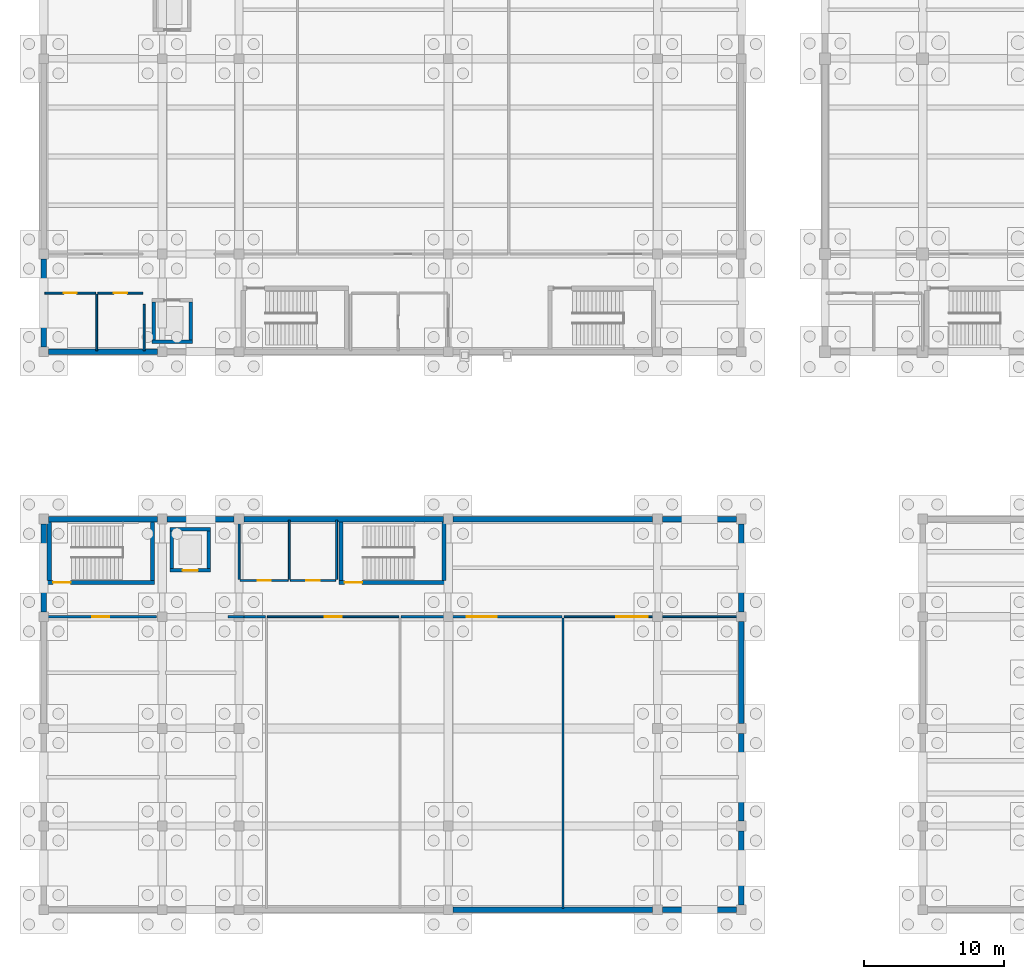
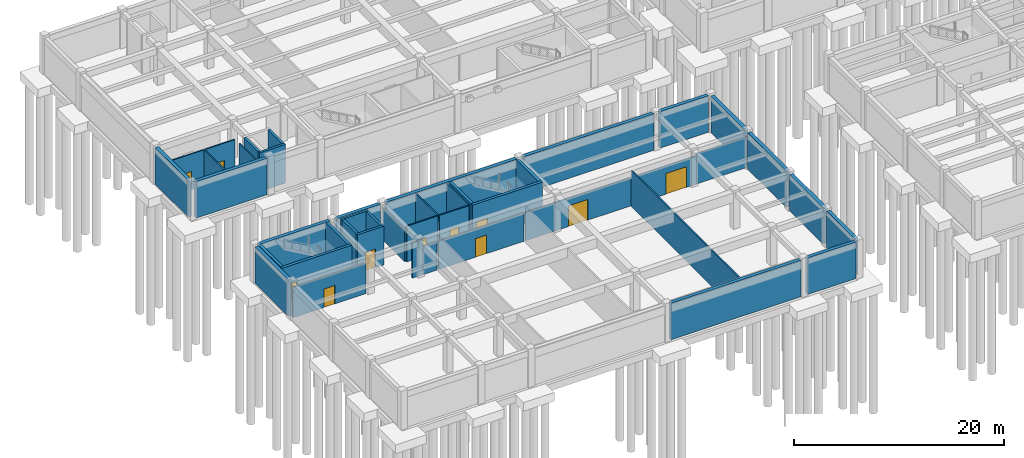
# One storey, part 15 of 28: 44 walls, 11 doors, 11 openings.
"""IFC4 building model written with IfcOpenShell, lengths in metres."""

from ifc_helpers import new_model, si_unit, direction, frame, frame_2d, origin, place, context, subcontext, project, spatial, rectangle, extrude, material, layer, layer_set, type_object, element, fill, save


model = new_model("IFC4")

# Units and contexts
model_context = context("Model", 3, precision=1e-05, world=origin(), true_north=direction((0.0, 1.0)))
body_context = subcontext(model_context, "Body", "Model", "MODEL_VIEW")
ifc_project = project(units=[si_unit("LENGTHUNIT", "METRE"), si_unit("AREAUNIT", "SQUARE_METRE"), si_unit("VOLUMEUNIT", "CUBIC_METRE"), si_unit("PLANEANGLEUNIT", "RADIAN"), si_unit("MASSUNIT", "GRAM", prefix="KILO")], contexts=[model_context])

# Site, building, storey
site_placement = place(None, origin())
site = spatial("IfcSite", under=ifc_project, at=site_placement, CompositionType="ELEMENT")
building_placement = place(site_placement, origin())
building = spatial("IfcBuilding", under=site, at=building_placement, Name="Naurynzar Civic Courthouse", CompositionType="ELEMENT")
storey_placement = place(building_placement, frame((0.0, 0.0, -4.5)))
storey = spatial("IfcBuildingStorey", under=building, at=storey_placement, Name="B01", CompositionType="ELEMENT", Elevation=-4.5)

# Wall, opening, door
ifc_material_1 = material(Name="Concrete C40/50", Category="concrete")
ifc_layer_1 = layer(ifc_material_1, 0.300048828125)
ifc_layer_set_1 = layer_set([ifc_layer_1], Name="WL-CORE-300")
wall_type_1 = type_object("IfcWallType", Name="WL-CORE-300", PredefinedType="SHEAR", material=ifc_layer_set_1)
wall_1_placement = place(storey_placement, frame((6.25, 27.449951171875, 0.0), z_axis=(0.0, 0.0, 1.0), x_axis=(1.0, 0.0, 0.0)))
wall_1 = element("IfcWall", 1, at=wall_1_placement, inside=storey, type_object=wall_type_1, Name="Stair ST-V4A enclosure wall south B01", PredefinedType="SHEAR", context=body_context, shape_type="SweptSolid", body=[
    extrude(rectangle(XDim=7.699951171875, YDim=0.300048828125, at=frame_2d((3.85009765625, 0.0))), origin(), (0.0, 0.0, 1.0), 4.239990234375),
])
opening_1_placement = place(wall_1_placement, frame((0.425048828125, 0.0, 0.0)))
opening_1 = element("IfcOpeningElement", 2, at=opening_1_placement, cuts=wall_1, Name="Opening SD-011", PredefinedType="OPENING", context=body_context, shape_type="SweptSolid", body=[
    extrude(rectangle(XDim=1.25, YDim=2.14990234375, at=frame_2d((0.625, 1.074951171875))), frame((0.0, 0.159912109375, 0.0), z_axis=(0.0, -1.0, 0.0), x_axis=(1.0, 0.0, 0.0)), (0.0, 0.0, 1.0), 0.320068359375),
])
ifc_material_2 = material(Name="Powder-Coated Galvanised Steel", Category="steel")
door_type_1 = type_object("IfcDoorType", Name="DR-STAIR-1250x2150", OperationType="NOTDEFINED", PredefinedType="DOOR", material=ifc_material_2)
door_1_placement = place(opening_1_placement, origin())
door_1 = element("IfcDoor", 3, at=door_1_placement, inside=storey, type_object=door_type_1, Name="Stair ST-V4A fire door B01", OperationType="SINGLE_SWING_LEFT", OverallHeight=2.14990234375, OverallWidth=1.25, PredefinedType="DOOR", context=body_context, shape_type="SweptSolid", body=[
    extrude(rectangle(XDim=1.25, YDim=2.14990234375, at=frame_2d((0.625, 1.074951171875))), frame((0.0, 0.02490234375, 0.0), z_axis=(0.0, -1.0, 0.0), x_axis=(1.0, 0.0, 0.0)), (0.0, 0.0, 1.0), 0.050048828125),
])
fill(opening_1, door_1)

# Walls
for number, where, z_axis, x_axis, name in (
    (4, (6.39990234375, 31.794921875, 0.0), (0.0, 0.0, 1.0), (0.0, -1.0, 0.0), "Stair ST-V4A enclosure wall west B01"),
    (5, (13.800048828125, 27.60498046875, 0.0), (0.0, 0.0, 1.0), (0.0, 1.0, 0.0), "Stair ST-V4A enclosure wall east B01"),
):
    element("IfcWall", number, at=place(storey_placement, frame(where, z_axis=z_axis, x_axis=x_axis)), inside=storey, type_object=wall_type_1, Name=name, PredefinedType="SHEAR", context=body_context, shape_type="SweptSolid", body=[
        extrude(rectangle(XDim=4.18994140625, YDim=0.300048828125, at=frame_2d((2.094970703125, 0.0))), origin(), (0.0, 0.0, 1.0), 4.239990234375),
    ])

# Wall, opening, door
wall_2_placement = place(storey_placement, frame((27.14990234375, 27.449951171875, 0.0), z_axis=(0.0, 0.0, 1.0), x_axis=(1.0, 0.0, 0.0)))
wall_2 = element("IfcWall", 6, at=wall_2_placement, inside=storey, type_object=wall_type_1, Name="Stair ST-V4B enclosure wall south B01", PredefinedType="SHEAR", context=body_context, shape_type="SweptSolid", body=[
    extrude(rectangle(XDim=7.7001953125, YDim=0.300048828125, at=frame_2d((3.85009765625, 0.0))), origin(), (0.0, 0.0, 1.0), 4.239990234375),
])
opening_2_placement = place(wall_2_placement, frame((0.425048828125, 0.0, 0.0)))
opening_2 = element("IfcOpeningElement", 7, at=opening_2_placement, cuts=wall_2, Name="Opening SD-017", PredefinedType="OPENING", context=body_context, shape_type="SweptSolid", body=[
    extrude(rectangle(XDim=1.25, YDim=2.14990234375, at=frame_2d((0.625, 1.074951171875))), frame((0.0, 0.159912109375, 0.0), z_axis=(0.0, -1.0, 0.0), x_axis=(1.0, 0.0, 0.0)), (0.0, 0.0, 1.0), 0.320068359375),
])
door_2_placement = place(opening_2_placement, origin())
door_2 = element("IfcDoor", 8, at=door_2_placement, inside=storey, type_object=door_type_1, Name="Stair ST-V4B fire door B01", OperationType="SINGLE_SWING_LEFT", OverallHeight=2.14990234375, OverallWidth=1.25, PredefinedType="DOOR", context=body_context, shape_type="SweptSolid", body=[
    extrude(rectangle(XDim=1.25, YDim=2.14990234375, at=frame_2d((0.625, 1.074951171875))), frame((0.0, 0.02490234375, 0.0), z_axis=(0.0, -1.0, 0.0), x_axis=(1.0, 0.0, 0.0)), (0.0, 0.0, 1.0), 0.050048828125),
])
fill(opening_2, door_2)

# Walls
for number, where, z_axis, x_axis, name in (
    (9, (27.300048828125, 31.794921875, 0.0), (0.0, 0.0, 1.0), (0.0, -1.0, 0.0), "Stair ST-V4B enclosure wall west B01"),
    (10, (34.699951171875, 27.60498046875, 0.0), (0.0, 0.0, 1.0), (0.0, 1.0, 0.0), "Stair ST-V4B enclosure wall east B01"),
):
    element("IfcWall", number, at=place(storey_placement, frame(where, z_axis=z_axis, x_axis=x_axis)), inside=storey, type_object=wall_type_1, Name=name, PredefinedType="SHEAR", context=body_context, shape_type="SweptSolid", body=[
        extrude(rectangle(XDim=4.18994140625, YDim=0.300048828125, at=frame_2d((2.094970703125, 0.0))), origin(), (0.0, 0.0, 1.0), 4.239990234375),
    ])

# Wall, opening, door
ifc_material_3 = material(Name="Fire-Rated Corridor Gypsum Partition")
ifc_layer_2 = layer(ifc_material_3, 0.14990234375)
ifc_layer_set_2 = layer_set([ifc_layer_2], Name="WL-PART-CORR-150")
wall_type_2 = type_object("IfcWallType", Name="WL-PART-CORR-150", PredefinedType="PARTITIONING", material=ifc_layer_set_2)
wall_3_placement = place(storey_placement, frame((6.080078125, 25.0, 0.0), z_axis=(0.0, 0.0, 1.0), x_axis=(1.0, 0.0, 0.0)))
wall_3 = element("IfcWall", 11, at=wall_3_placement, inside=storey, type_object=wall_type_2, Name="V4 interior partition B01.4", PredefinedType="PARTITIONING", context=body_context, shape_type="SweptSolid", body=[
    extrude(rectangle(XDim=8.02001953125, YDim=0.14990234375, at=frame_2d((4.010009765625, 0.0))), origin(), (0.0, 0.0, 1.0), 3.530029296875),
])
opening_3_placement = place(wall_3_placement, frame((3.409912109375, 0.0, 0.0)))
opening_3 = element("IfcOpeningElement", 12, at=opening_3_placement, cuts=wall_3, Name="Opening D-051", PredefinedType="OPENING", context=body_context, shape_type="SweptSolid", body=[
    extrude(rectangle(XDim=1.199951171875, YDim=2.14990234375, at=frame_2d((0.60009765625, 1.074951171875))), frame((0.0, 0.0849609375, 0.0), z_axis=(0.0, -1.0, 0.0), x_axis=(1.0, 0.0, 0.0)), (0.0, 0.0, 1.0), 0.169921875),
])
ifc_material_4 = material(Name="Powder-Coated Galvanised Steel", Category="steel")
door_type_2 = type_object("IfcDoorType", Name="DR-ARCH-1200x2150", OperationType="NOTDEFINED", PredefinedType="DOOR", material=ifc_material_4)
door_3_placement = place(opening_3_placement, origin())
door_3 = element("IfcDoor", 13, at=door_3_placement, inside=storey, type_object=door_type_2, Name="Interior door D-051 (Central Judicial Archive Compact Shelving)", OperationType="SINGLE_SWING_LEFT", OverallHeight=2.14990234375, OverallWidth=1.199951171875, PredefinedType="DOOR", context=body_context, shape_type="SweptSolid", body=[
    extrude(rectangle(XDim=1.199951171875, YDim=2.14990234375, at=frame_2d((0.60009765625, 1.074951171875))), frame((0.0, 0.02490234375, 0.0), z_axis=(0.0, -1.0, 0.0), x_axis=(1.0, 0.0, 0.0)), (0.0, 0.0, 1.0), 0.050048828125),
])
fill(opening_3, door_3)

# Walls
wall_4_placement = place(storey_placement, frame((19.199951171875, 25.0, 0.0), z_axis=(0.0, 0.0, 1.0), x_axis=(1.0, 0.0, 0.0)))
element("IfcWall", 14, at=wall_4_placement, inside=storey, type_object=wall_type_2, Name="V4 interior partition B01.5a", PredefinedType="PARTITIONING", context=body_context, shape_type="SweptSolid", body=[
    extrude(rectangle(XDim=1.150146484375, YDim=0.14990234375, at=frame_2d((0.5751953125, 0.0))), origin(), (0.0, 0.0, 1.0), 4.139892578125),
])
wall_5_placement = place(storey_placement, frame((20.35009765625, 25.0, 0.0), z_axis=(0.0, 0.0, 1.0), x_axis=(1.0, 0.0, 0.0)))
element("IfcWall", 15, at=wall_5_placement, inside=storey, type_object=wall_type_2, Name="V4 interior partition B01.5ab", PredefinedType="PARTITIONING", context=body_context, shape_type="SweptSolid", body=[
    extrude(rectangle(XDim=1.52978515625, YDim=0.14990234375, at=frame_2d((0.764892578125, 0.0))), origin(), (0.0, 0.0, 1.0), 3.280029296875),
])

# Wall, opening, door
wall_6_placement = place(storey_placement, frame((31.610107421875, 25.0, 0.0), z_axis=(0.0, 0.0, 1.0), x_axis=(1.0, 0.0, 0.0)))
wall_6 = element("IfcWall", 16, at=wall_6_placement, inside=storey, type_object=wall_type_2, Name="V4 interior partition B01.7", PredefinedType="PARTITIONING", context=body_context, shape_type="SweptSolid", body=[
    extrude(rectangle(XDim=11.539794921875, YDim=0.14990234375, at=frame_2d((5.77001953125, 0.0))), origin(), (0.0, 0.0, 1.0), 3.280029296875),
])
opening_4_placement = place(wall_6_placement, frame((4.695068359375, 0.0, 0.0)))
opening_4 = element("IfcOpeningElement", 17, at=opening_4_placement, cuts=wall_6, Name="Opening D-053", PredefinedType="OPENING", context=body_context, shape_type="SweptSolid", body=[
    extrude(rectangle(XDim=2.14990234375, YDim=2.39990234375, at=frame_2d((1.074951171875, 1.199951171875))), frame((0.0, 0.0849609375, 0.0), z_axis=(0.0, -1.0, 0.0), x_axis=(1.0, 0.0, 0.0)), (0.0, 0.0, 1.0), 0.169921875),
])
ifc_material_5 = material(Name="Acoustic Oak Timber Grade A", Category="wood")
door_type_3 = type_object("IfcDoorType", Name="DR-SUITE-2150x2400", OperationType="DOUBLE_DOOR_SINGLE_SWING", PredefinedType="DOOR", material=ifc_material_5)
door_4_placement = place(opening_4_placement, origin())
door_4 = element("IfcDoor", 18, at=door_4_placement, inside=storey, type_object=door_type_3, Name="Interior door D-053 (Main Electrical Substation Plant)", OperationType="DOUBLE_DOOR_SINGLE_SWING", OverallHeight=2.39990234375, OverallWidth=2.14990234375, PredefinedType="DOOR", context=body_context, shape_type="SweptSolid", body=[
    extrude(rectangle(XDim=2.14990234375, YDim=2.39990234375, at=frame_2d((1.074951171875, 1.199951171875))), frame((0.0, 0.02490234375, 0.0), z_axis=(0.0, -1.0, 0.0), x_axis=(1.0, 0.0, 0.0)), (0.0, 0.0, 1.0), 0.050048828125),
])
fill(opening_4, door_4)

# Wall
wall_7_placement = place(storey_placement, frame((43.22998046875, 4.080078125, 0.0), z_axis=(0.0, 0.0, 1.0), x_axis=(0.0, 1.0, 0.0)))
element("IfcWall", 19, at=wall_7_placement, inside=storey, type_object=wall_type_2, Name="V4 interior partition B01.49", PredefinedType="PARTITIONING", context=body_context, shape_type="SweptSolid", body=[
    extrude(rectangle(XDim=20.83984375, YDim=0.14990234375, at=frame_2d((10.419921875, 0.0))), origin(), (0.0, 0.0, 1.0), 4.139892578125),
])

# Wall, opening, door
ifc_material_6 = material(Name="Metal-Stud Gypsum Partition")
ifc_layer_3 = layer(ifc_material_6, 0.125)
ifc_layer_set_3 = layer_set([ifc_layer_3], Name="WL-PART-STD-125")
wall_type_3 = type_object("IfcWallType", Name="WL-PART-STD-125", PredefinedType="PARTITIONING", material=ifc_layer_set_3)
wall_8_placement = place(storey_placement, frame((22.0400390625, 25.0, 0.0), z_axis=(0.0, 0.0, 1.0), x_axis=(1.0, 0.0, 0.0)))
wall_8 = element("IfcWall", 20, at=wall_8_placement, inside=storey, type_object=wall_type_3, Name="V4 interior partition B01.6", PredefinedType="PARTITIONING", context=body_context, shape_type="SweptSolid", body=[
    extrude(rectangle(XDim=9.409912109375, YDim=0.125, at=frame_2d((4.705078125, 0.0))), origin(), (0.0, 0.0, 1.0), 3.280029296875),
])
opening_5_placement = place(wall_8_placement, frame((4.10498046875, 0.0, 0.0)))
opening_5 = element("IfcOpeningElement", 21, at=opening_5_placement, cuts=wall_8, Name="Opening D-052", PredefinedType="OPENING", context=body_context, shape_type="SweptSolid", body=[
    extrude(rectangle(XDim=1.199951171875, YDim=2.14990234375, at=frame_2d((0.60009765625, 1.074951171875))), frame((0.0, 0.072509765625, 0.0), z_axis=(0.0, -1.0, 0.0), x_axis=(1.0, 0.0, 0.0)), (0.0, 0.0, 1.0), 0.14501953125),
])
door_5_placement = place(opening_5_placement, origin())
door_5 = element("IfcDoor", 22, at=door_5_placement, inside=storey, type_object=door_type_2, Name="Interior door D-052 (Digital Case Scanning Suite)", OperationType="SINGLE_SWING_RIGHT", OverallHeight=2.14990234375, OverallWidth=1.199951171875, PredefinedType="DOOR", context=body_context, shape_type="SweptSolid", body=[
    extrude(rectangle(XDim=1.199951171875, YDim=2.14990234375, at=frame_2d((0.60009765625, 1.074951171875))), frame((0.0, 0.02490234375, 0.0), z_axis=(0.0, -1.0, 0.0), x_axis=(1.0, 0.0, 0.0)), (0.0, 0.0, 1.0), 0.050048828125),
])
fill(opening_5, door_5)

wall_9_placement = place(storey_placement, frame((43.31005859375, 25.0, 0.0), z_axis=(0.0, 0.0, 1.0), x_axis=(1.0, 0.0, 0.0)))
wall_9 = element("IfcWall", 23, at=wall_9_placement, inside=storey, type_object=wall_type_3, Name="V4 interior partition B01.8a", PredefinedType="PARTITIONING", context=body_context, shape_type="SweptSolid", body=[
    extrude(rectangle(XDim=7.0400390625, YDim=0.125, at=frame_2d((3.52001953125, 0.0))), origin(), (0.0, 0.0, 1.0), 3.280029296875),
])
opening_6_placement = place(wall_9_placement, frame((3.73095703125, 0.0, 0.0)))
opening_6 = element("IfcOpeningElement", 24, at=opening_6_placement, cuts=wall_9, Name="Opening D-054", PredefinedType="OPENING", context=body_context, shape_type="SweptSolid", body=[
    extrude(rectangle(XDim=2.25, YDim=2.39990234375, at=frame_2d((1.125, 1.199951171875))), frame((0.0, 0.072509765625, 0.0), z_axis=(0.0, -1.0, 0.0), x_axis=(1.0, 0.0, 0.0)), (0.0, 0.0, 1.0), 0.14501953125),
])
ifc_material_7 = material(Name="Acoustic Oak Timber Grade A", Category="wood")
door_type_4 = type_object("IfcDoorType", Name="DR-SUITE-2250x2400", OperationType="DOUBLE_DOOR_SINGLE_SWING", PredefinedType="DOOR", material=ifc_material_7)
door_6_placement = place(opening_6_placement, origin())
door_6 = element("IfcDoor", 25, at=door_6_placement, inside=storey, type_object=door_type_4, Name="Interior door D-054 (District Heating and Chiller Plant)", OperationType="DOUBLE_DOOR_SINGLE_SWING", OverallHeight=2.39990234375, OverallWidth=2.25, PredefinedType="DOOR", context=body_context, shape_type="SweptSolid", body=[
    extrude(rectangle(XDim=2.25, YDim=2.39990234375, at=frame_2d((1.125, 1.199951171875))), frame((0.0, 0.02490234375, 0.0), z_axis=(0.0, -1.0, 0.0), x_axis=(1.0, 0.0, 0.0)), (0.0, 0.0, 1.0), 0.050048828125),
])
fill(opening_6, door_6)

# Wall
wall_10_placement = place(storey_placement, frame((50.35009765625, 25.0, 0.0), z_axis=(0.0, 0.0, 1.0), x_axis=(1.0, 0.0, 0.0)))
element("IfcWall", 26, at=wall_10_placement, inside=storey, type_object=wall_type_3, Name="V4 interior partition B01.8ab", PredefinedType="PARTITIONING", context=body_context, shape_type="SweptSolid", body=[
    extrude(rectangle(XDim=5.56982421875, YDim=0.125, at=frame_2d((2.784912109375, 0.0))), origin(), (0.0, 0.0, 1.0), 3.530029296875),
])

# Wall, opening, door
ifc_material_8 = material(Name="Moisture-Resistant Plumbing Partition")
ifc_layer_4 = layer(ifc_material_8, 0.139892578125)
ifc_layer_set_4 = layer_set([ifc_layer_4], Name="WL-PART-WC-140")
wall_type_4 = type_object("IfcWallType", Name="WL-PART-WC-140", PredefinedType="PLUMBINGWALL", material=ifc_layer_set_4)
wall_11_placement = place(storey_placement, frame((20.080078125, 27.60009765625, 0.0), z_axis=(0.0, 0.0, 1.0), x_axis=(1.0, 0.0, 0.0)))
wall_11 = element("IfcWall", 27, at=wall_11_placement, inside=storey, type_object=wall_type_4, Name="V4 interior partition B01.12", PredefinedType="PLUMBINGWALL", context=body_context, shape_type="SweptSolid", body=[
    extrude(rectangle(XDim=3.43994140625, YDim=0.139892578125, at=frame_2d((1.719970703125, 0.0))), origin(), (0.0, 0.0, 1.0), 4.139892578125),
])
opening_7_placement = place(wall_11_placement, frame((1.260009765625, 0.0, 0.0)))
opening_7 = element("IfcOpeningElement", 28, at=opening_7_placement, cuts=wall_11, Name="Opening D-049", PredefinedType="OPENING", context=body_context, shape_type="SweptSolid", body=[
    extrude(rectangle(XDim=0.919921875, YDim=2.10009765625, at=frame_2d((0.4599609375, 1.050048828125))), frame((0.0, 0.079833984375, 0.0), z_axis=(0.0, -1.0, 0.0), x_axis=(1.0, 0.0, 0.0)), (0.0, 0.0, 1.0), 0.159912109375),
])
ifc_material_9 = material(Name="Acoustic Oak Timber Grade A", Category="wood")
door_type_5 = type_object("IfcDoorType", Name="DR-WC-STD-920x2100", OperationType="NOTDEFINED", PredefinedType="DOOR", material=ifc_material_9)
door_7_placement = place(opening_7_placement, origin())
door_7 = element("IfcDoor", 29, at=door_7_placement, inside=storey, type_object=door_type_5, Name="Interior door D-049 (Public WC V4)", OperationType="SINGLE_SWING_LEFT", OverallHeight=2.10009765625, OverallWidth=0.919921875, PredefinedType="DOOR", context=body_context, shape_type="SweptSolid", body=[
    extrude(rectangle(XDim=0.919921875, YDim=2.10009765625, at=frame_2d((0.4599609375, 1.050048828125))), frame((0.0, 0.02490234375, 0.0), z_axis=(0.0, -1.0, 0.0), x_axis=(1.0, 0.0, 0.0)), (0.0, 0.0, 1.0), 0.050048828125),
])
fill(opening_7, door_7)

wall_12_placement = place(storey_placement, frame((23.679931640625, 27.60009765625, 0.0), z_axis=(0.0, 0.0, 1.0), x_axis=(1.0, 0.0, 0.0)))
wall_12 = element("IfcWall", 30, at=wall_12_placement, inside=storey, type_object=wall_type_4, Name="V4 interior partition B01.13", PredefinedType="PLUMBINGWALL", context=body_context, shape_type="SweptSolid", body=[
    extrude(rectangle(XDim=3.239990234375, YDim=0.139892578125, at=frame_2d((1.6201171875, 0.0))), origin(), (0.0, 0.0, 1.0), 4.139892578125),
])
opening_8_placement = place(wall_12_placement, frame((1.139892578125, 0.0, 0.0)))
opening_8 = element("IfcOpeningElement", 31, at=opening_8_placement, cuts=wall_12, Name="Opening D-050", PredefinedType="OPENING", context=body_context, shape_type="SweptSolid", body=[
    extrude(rectangle(XDim=0.9599609375, YDim=2.10009765625, at=frame_2d((0.47998046875, 1.050048828125))), frame((0.0, 0.079833984375, 0.0), z_axis=(0.0, -1.0, 0.0), x_axis=(1.0, 0.0, 0.0)), (0.0, 0.0, 1.0), 0.159912109375),
])
ifc_material_10 = material(Name="Acoustic Oak Timber Grade A", Category="wood")
door_type_6 = type_object("IfcDoorType", Name="DR-WC-ACC-960x2100", OperationType="NOTDEFINED", PredefinedType="DOOR", material=ifc_material_10)
door_8_placement = place(opening_8_placement, origin())
door_8 = element("IfcDoor", 32, at=door_8_placement, inside=storey, type_object=door_type_6, Name="Interior door D-050 (Accessible WC V4)", OperationType="SINGLE_SWING_RIGHT", OverallHeight=2.10009765625, OverallWidth=0.9599609375, PredefinedType="DOOR", context=body_context, shape_type="SweptSolid", body=[
    extrude(rectangle(XDim=0.9599609375, YDim=2.10009765625, at=frame_2d((0.47998046875, 1.050048828125))), frame((0.0, 0.02490234375, 0.0), z_axis=(0.0, -1.0, 0.0), x_axis=(1.0, 0.0, 0.0)), (0.0, 0.0, 1.0), 0.050048828125),
])
fill(opening_8, door_8)

wall_13_placement = place(storey_placement, frame((6.080078125, 48.199951171875, 0.0), z_axis=(0.0, 0.0, 1.0), x_axis=(1.0, 0.0, 0.0)))
wall_13 = element("IfcWall", 33, at=wall_13_placement, inside=storey, type_object=wall_type_4, Name="V1 interior partition B01.20", PredefinedType="PLUMBINGWALL", context=body_context, shape_type="SweptSolid", body=[
    extrude(rectangle(XDim=3.639892578125, YDim=0.139892578125, at=frame_2d((1.81982421875, 0.0))), origin(), (0.0, 0.0, 1.0), 4.139892578125),
])
opening_9_placement = place(wall_13_placement, frame((1.360107421875, 0.0, 0.0)))
opening_9 = element("IfcOpeningElement", 34, at=opening_9_placement, cuts=wall_13, Name="Opening D-001", PredefinedType="OPENING", context=body_context, shape_type="SweptSolid", body=[
    extrude(rectangle(XDim=0.919921875, YDim=2.10009765625, at=frame_2d((0.4599609375, 1.050048828125))), frame((0.0, 0.079833984375, 0.0), z_axis=(0.0, -1.0, 0.0), x_axis=(1.0, 0.0, 0.0)), (0.0, 0.0, 1.0), 0.159912109375),
])
door_9_placement = place(opening_9_placement, origin())
door_9 = element("IfcDoor", 35, at=door_9_placement, inside=storey, type_object=door_type_5, Name="Interior door D-001 (Public WC V1)", OperationType="SINGLE_SWING_LEFT", OverallHeight=2.10009765625, OverallWidth=0.919921875, PredefinedType="DOOR", context=body_context, shape_type="SweptSolid", body=[
    extrude(rectangle(XDim=0.919921875, YDim=2.10009765625, at=frame_2d((0.4599609375, 1.050048828125))), frame((0.0, 0.02490234375, 0.0), z_axis=(0.0, -1.0, 0.0), x_axis=(1.0, 0.0, 0.0)), (0.0, 0.0, 1.0), 0.050048828125),
])
fill(opening_9, door_9)

wall_14_placement = place(storey_placement, frame((9.8798828125, 48.199951171875, 0.0), z_axis=(0.0, 0.0, 1.0), x_axis=(1.0, 0.0, 0.0)))
wall_14 = element("IfcWall", 36, at=wall_14_placement, inside=storey, type_object=wall_type_4, Name="V1 interior partition B01.21", PredefinedType="PLUMBINGWALL", context=body_context, shape_type="SweptSolid", body=[
    extrude(rectangle(XDim=3.22021484375, YDim=0.139892578125, at=frame_2d((1.610107421875, 0.0))), origin(), (0.0, 0.0, 1.0), 4.139892578125),
])
opening_10_placement = place(wall_14_placement, frame((1.1298828125, 0.0, 0.0)))
opening_10 = element("IfcOpeningElement", 37, at=opening_10_placement, cuts=wall_14, Name="Opening D-002", PredefinedType="OPENING", context=body_context, shape_type="SweptSolid", body=[
    extrude(rectangle(XDim=0.9599609375, YDim=2.10009765625, at=frame_2d((0.47998046875, 1.050048828125))), frame((0.0, 0.079833984375, 0.0), z_axis=(0.0, -1.0, 0.0), x_axis=(1.0, 0.0, 0.0)), (0.0, 0.0, 1.0), 0.159912109375),
])
door_10_placement = place(opening_10_placement, origin())
door_10 = element("IfcDoor", 38, at=door_10_placement, inside=storey, type_object=door_type_6, Name="Interior door D-002 (Accessible WC V1)", OperationType="SINGLE_SWING_RIGHT", OverallHeight=2.10009765625, OverallWidth=0.9599609375, PredefinedType="DOOR", context=body_context, shape_type="SweptSolid", body=[
    extrude(rectangle(XDim=0.9599609375, YDim=2.10009765625, at=frame_2d((0.47998046875, 1.050048828125))), frame((0.0, 0.02490234375, 0.0), z_axis=(0.0, -1.0, 0.0), x_axis=(1.0, 0.0, 0.0)), (0.0, 0.0, 1.0), 0.050048828125),
])
fill(opening_10, door_10)

# Walls
wall_15_placement = place(storey_placement, frame((9.800048828125, 44.080078125, 0.0), z_axis=(0.0, 0.0, 1.0), x_axis=(0.0, 1.0, 0.0)))
element("IfcWall", 39, at=wall_15_placement, inside=storey, type_object=wall_type_4, Name="V1 interior partition B01.37", PredefinedType="PLUMBINGWALL", context=body_context, shape_type="SweptSolid", body=[
    extrude(rectangle(XDim=4.0400390625, YDim=0.139892578125, at=frame_2d((2.02001953125, 0.0))), origin(), (0.0, 0.0, 1.0), 4.139892578125),
])
wall_16_placement = place(storey_placement, frame((13.199951171875, 44.080078125, 0.0), z_axis=(0.0, 0.0, 1.0), x_axis=(0.0, 1.0, 0.0)))
element("IfcWall", 40, at=wall_16_placement, inside=storey, type_object=wall_type_4, Name="V1 interior partition B01.38", PredefinedType="PLUMBINGWALL", context=body_context, shape_type="SweptSolid", body=[
    extrude(rectangle(XDim=3.31982421875, YDim=0.139892578125, at=frame_2d((1.659912109375, 0.0))), origin(), (0.0, 0.0, 1.0), 4.139892578125),
])
wall_17_placement = place(storey_placement, frame((20.0, 27.679931640625, 0.0), z_axis=(0.0, 0.0, 1.0), x_axis=(0.0, 1.0, 0.0)))
element("IfcWall", 41, at=wall_17_placement, inside=storey, type_object=wall_type_4, Name="V4 interior partition B01.39", PredefinedType="PLUMBINGWALL", context=body_context, shape_type="SweptSolid", body=[
    extrude(rectangle(XDim=4.239990234375, YDim=0.139892578125, at=frame_2d((2.1201171875, 0.0))), origin(), (0.0, 0.0, 1.0), 3.679931640625),
])
for number, where, z_axis, x_axis, name in (
    (42, (23.60009765625, 27.679931640625, 0.0), (0.0, 0.0, 1.0), (0.0, 1.0, 0.0), "V4 interior partition B01.41"),
    (43, (27.0, 27.679931640625, 0.0), (0.0, 0.0, 1.0), (0.0, 1.0, 0.0), "V4 interior partition B01.43"),
):
    element("IfcWall", number, at=place(storey_placement, frame(where, z_axis=z_axis, x_axis=x_axis)), inside=storey, type_object=wall_type_4, Name=name, PredefinedType="PLUMBINGWALL", context=body_context, shape_type="SweptSolid", body=[
        extrude(rectangle(XDim=4.239990234375, YDim=0.139892578125, at=frame_2d((2.1201171875, 0.0))), origin(), (0.0, 0.0, 1.0), 4.139892578125),
    ])
ifc_material_11 = material(Name="Concrete C40/50", Category="concrete")
ifc_layer_5 = layer(ifc_material_11, 0.3798828125)
ifc_layer_set_5 = layer_set([ifc_layer_5], Name="WL-RET-380")
wall_type_5 = type_object("IfcWallType", Name="WL-RET-380", PredefinedType="STANDARD", material=ifc_layer_set_5)
wall_18_placement = place(storey_placement, frame((6.0, 44.35009765625, 0.0), z_axis=(0.0, 0.0, 1.0), x_axis=(0.0, 1.0, 0.0)))
element("IfcWall", 44, at=wall_18_placement, inside=storey, type_object=wall_type_5, Name="V1 basement retaining wall west 1", PredefinedType="STANDARD", context=body_context, shape_type="SweptSolid", body=[
    extrude(rectangle(XDim=6.2998046875, YDim=0.3798828125, at=frame_2d((3.14990234375, 0.0))), origin(), (0.0, 0.0, 1.0), 4.239990234375),
])
wall_19_placement = place(storey_placement, frame((14.14990234375, 44.0, 0.0), z_axis=(0.0, 0.0, 1.0), x_axis=(-1.0, 0.0, 0.0)))
element("IfcWall", 45, at=wall_19_placement, inside=storey, type_object=wall_type_5, Name="V1 basement retaining wall south 5", PredefinedType="STANDARD", context=body_context, shape_type="SweptSolid", body=[
    extrude(rectangle(XDim=7.7998046875, YDim=0.3798828125, at=frame_2d((3.89990234375, 0.0))), origin(), (0.0, 0.0, 1.0), 4.239990234375),
])
wall_20_placement = place(storey_placement, frame((6.0, 25.35009765625, 0.0), z_axis=(0.0, 0.0, 1.0), x_axis=(0.0, 1.0, 0.0)))
element("IfcWall", 46, at=wall_20_placement, inside=storey, type_object=wall_type_5, Name="V4 basement retaining wall west 4", PredefinedType="STANDARD", context=body_context, shape_type="SweptSolid", body=[
    extrude(rectangle(XDim=6.2998046875, YDim=0.3798828125, at=frame_2d((3.14990234375, 0.0))), origin(), (0.0, 0.0, 1.0), 4.239990234375),
])
wall_21_placement = place(storey_placement, frame((6.35009765625, 32.0, 0.0), z_axis=(0.0, 0.0, 1.0), x_axis=(1.0, 0.0, 0.0)))
element("IfcWall", 47, at=wall_21_placement, inside=storey, type_object=wall_type_5, Name="V4 basement retaining wall north 1", PredefinedType="STANDARD", context=body_context, shape_type="SweptSolid", body=[
    extrude(rectangle(XDim=7.7998046875, YDim=0.3798828125, at=frame_2d((3.89990234375, 0.0))), origin(), (0.0, 0.0, 1.0), 4.239990234375),
])
wall_22_placement = place(storey_placement, frame((14.85009765625, 32.0, 0.0), z_axis=(0.0, 0.0, 1.0), x_axis=(1.0, 0.0, 0.0)))
element("IfcWall", 48, at=wall_22_placement, inside=storey, type_object=wall_type_5, Name="V4 basement retaining wall north 2", PredefinedType="STANDARD", context=body_context, shape_type="SweptSolid", body=[
    extrude(rectangle(XDim=4.7998046875, YDim=0.3798828125, at=frame_2d((2.39990234375, 0.0))), origin(), (0.0, 0.0, 1.0), 4.239990234375),
])
for number, where, z_axis, x_axis, name in (
    (49, (20.35009765625, 32.0, 0.0), (0.0, 0.0, 1.0), (1.0, 0.0, 0.0), "V4 basement retaining wall north 3"),
    (50, (35.35009765625, 32.0, 0.0), (0.0, 0.0, 1.0), (1.0, 0.0, 0.0), "V4 basement retaining wall north 4"),
):
    element("IfcWall", number, at=place(storey_placement, frame(where, z_axis=z_axis, x_axis=x_axis)), inside=storey, type_object=wall_type_5, Name=name, PredefinedType="STANDARD", context=body_context, shape_type="SweptSolid", body=[
        extrude(rectangle(XDim=14.2998046875, YDim=0.3798828125, at=frame_2d((7.14990234375, 0.0))), origin(), (0.0, 0.0, 1.0), 4.239990234375),
    ])
wall_23_placement = place(storey_placement, frame((50.35009765625, 32.0, 0.0), z_axis=(0.0, 0.0, 1.0), x_axis=(1.0, 0.0, 0.0)))
element("IfcWall", 51, at=wall_23_placement, inside=storey, type_object=wall_type_5, Name="V4 basement retaining wall north 5", PredefinedType="STANDARD", context=body_context, shape_type="SweptSolid", body=[
    extrude(rectangle(XDim=5.2998046875, YDim=0.3798828125, at=frame_2d((2.64990234375, 0.0))), origin(), (0.0, 0.0, 1.0), 4.239990234375),
])
wall_24_placement = place(storey_placement, frame((56.0, 31.64990234375, 0.0), z_axis=(0.0, 0.0, 1.0), x_axis=(0.0, -1.0, 0.0)))
element("IfcWall", 52, at=wall_24_placement, inside=storey, type_object=wall_type_5, Name="V4 basement retaining wall east 1", PredefinedType="STANDARD", context=body_context, shape_type="SweptSolid", body=[
    extrude(rectangle(XDim=6.2998046875, YDim=0.3798828125, at=frame_2d((3.14990234375, 0.0))), origin(), (0.0, 0.0, 1.0), 4.239990234375),
])
wall_25_placement = place(storey_placement, frame((56.0, 24.64990234375, 0.0), z_axis=(0.0, 0.0, 1.0), x_axis=(0.0, -1.0, 0.0)))
element("IfcWall", 53, at=wall_25_placement, inside=storey, type_object=wall_type_5, Name="V4 basement retaining wall east 2", PredefinedType="STANDARD", context=body_context, shape_type="SweptSolid", body=[
    extrude(rectangle(XDim=7.2998046875, YDim=0.3798828125, at=frame_2d((3.64990234375, 0.0))), origin(), (0.0, 0.0, 1.0), 4.239990234375),
])
wall_26_placement = place(storey_placement, frame((56.0, 16.64990234375, 0.0), z_axis=(0.0, 0.0, 1.0), x_axis=(0.0, -1.0, 0.0)))
element("IfcWall", 54, at=wall_26_placement, inside=storey, type_object=wall_type_5, Name="V4 basement retaining wall east 3", PredefinedType="STANDARD", context=body_context, shape_type="SweptSolid", body=[
    extrude(rectangle(XDim=6.2998046875, YDim=0.3798828125, at=frame_2d((3.14990234375, 0.0))), origin(), (0.0, 0.0, 1.0), 4.239990234375),
])
for number, where, z_axis, x_axis, name in (
    (55, (56.0, 9.64990234375, 0.0), (0.0, 0.0, 1.0), (0.0, -1.0, 0.0), "V4 basement retaining wall east 4"),
    (56, (55.64990234375, 4.0, 0.0), (0.0, 0.0, 1.0), (-1.0, 0.0, 0.0), "V4 basement retaining wall south 1"),
):
    element("IfcWall", number, at=place(storey_placement, frame(where, z_axis=z_axis, x_axis=x_axis)), inside=storey, type_object=wall_type_5, Name=name, PredefinedType="STANDARD", context=body_context, shape_type="SweptSolid", body=[
        extrude(rectangle(XDim=5.2998046875, YDim=0.3798828125, at=frame_2d((2.64990234375, 0.0))), origin(), (0.0, 0.0, 1.0), 4.239990234375),
    ])
wall_27_placement = place(storey_placement, frame((49.64990234375, 4.0, 0.0), z_axis=(0.0, 0.0, 1.0), x_axis=(-1.0, 0.0, 0.0)))
element("IfcWall", 57, at=wall_27_placement, inside=storey, type_object=wall_type_5, Name="V4 basement retaining wall south 2", PredefinedType="STANDARD", context=body_context, shape_type="SweptSolid", body=[
    extrude(rectangle(XDim=14.2998046875, YDim=0.3798828125, at=frame_2d((7.14990234375, 0.0))), origin(), (0.0, 0.0, 1.0), 4.239990234375),
])
ifc_material_12 = material(Name="Concrete C40/50", Category="concrete")
ifc_layer_6 = layer(ifc_material_12, 0.25)
ifc_layer_set_6 = layer_set([ifc_layer_6], Name="WL-SHAFT-250")
wall_type_6 = type_object("IfcWallType", Name="WL-SHAFT-250", PredefinedType="SHEAR", material=ifc_layer_set_6)
wall_28_placement = place(storey_placement, frame((13.75, 44.72509765625, 0.0), z_axis=(0.0, 0.0, 1.0), x_axis=(1.0, 0.0, 0.0)))
element("IfcWall", 58, at=wall_28_placement, inside=storey, type_object=wall_type_6, Name="Lift LP-01 shaft wall south B01", PredefinedType="SHEAR", context=body_context, shape_type="SweptSolid", body=[
    extrude(rectangle(XDim=2.89990234375, YDim=0.25, at=frame_2d((1.449951171875, 0.0))), origin(), (0.0, 0.0, 1.0), 4.5),
])
for number, where, z_axis, x_axis, name in (
    (59, (13.875, 47.544921875, 0.0), (0.0, 0.0, 1.0), (0.0, -1.0, 0.0), "Lift LP-01 shaft wall west B01"),
    (60, (16.52490234375, 44.85498046875, 0.0), (0.0, 0.0, 1.0), (0.0, 1.0, 0.0), "Lift LP-01 shaft wall east B01"),
):
    element("IfcWall", number, at=place(storey_placement, frame(where, z_axis=z_axis, x_axis=x_axis)), inside=storey, type_object=wall_type_6, Name=name, PredefinedType="SHEAR", context=body_context, shape_type="SweptSolid", body=[
        extrude(rectangle(XDim=2.68994140625, YDim=0.25, at=frame_2d((1.344970703125, 0.0))), origin(), (0.0, 0.0, 1.0), 4.5),
    ])

# Wall, opening, door
wall_29_placement = place(storey_placement, frame((15.050048828125, 28.324951171875, 0.0), z_axis=(0.0, 0.0, 1.0), x_axis=(1.0, 0.0, 0.0)))
wall_29 = element("IfcWall", 61, at=wall_29_placement, inside=storey, type_object=wall_type_6, Name="Lift LP-02 shaft wall south B01", PredefinedType="SHEAR", context=body_context, shape_type="SweptSolid", body=[
    extrude(rectangle(XDim=2.89990234375, YDim=0.25, at=frame_2d((1.449951171875, 0.0))), origin(), (0.0, 0.0, 1.0), 4.5),
])
opening_11_placement = place(wall_29_placement, frame((0.89990234375, 0.0, 0.0)))
opening_11 = element("IfcOpeningElement", 62, at=opening_11_placement, cuts=wall_29, Name="Opening LD-011", PredefinedType="OPENING", context=body_context, shape_type="SweptSolid", body=[
    extrude(rectangle(XDim=1.10009765625, YDim=2.14990234375, at=frame_2d((0.550048828125, 1.074951171875))), frame((0.0, 0.135009765625, 0.0), z_axis=(0.0, -1.0, 0.0), x_axis=(1.0, 0.0, 0.0)), (0.0, 0.0, 1.0), 0.27001953125),
])
ifc_material_13 = material(Name="Brushed Stainless Steel 304", Category="steel")
door_type_7 = type_object("IfcDoorType", Name="DR-LIFT-SLIDE-1100x2150", OperationType="DOUBLE_DOOR_SLIDING", PredefinedType="DOOR", material=ifc_material_13)
door_11_placement = place(opening_11_placement, origin())
door_11 = element("IfcDoor", 63, at=door_11_placement, inside=storey, type_object=door_type_7, Name="Lift LP-02 sliding landing door B01", OperationType="DOUBLE_DOOR_SLIDING", OverallHeight=2.14990234375, OverallWidth=1.10009765625, PredefinedType="DOOR", context=body_context, shape_type="SweptSolid", body=[
    extrude(rectangle(XDim=1.10009765625, YDim=2.14990234375, at=frame_2d((0.550048828125, 1.074951171875))), frame((0.0, 0.02490234375, 0.0), z_axis=(0.0, -1.0, 0.0), x_axis=(1.0, 0.0, 0.0)), (0.0, 0.0, 1.0), 0.050048828125),
])
fill(opening_11, door_11)

# Walls
wall_30_placement = place(storey_placement, frame((17.949951171875, 31.27490234375, 0.0), z_axis=(0.0, 0.0, 1.0), x_axis=(-1.0, 0.0, 0.0)))
element("IfcWall", 64, at=wall_30_placement, inside=storey, type_object=wall_type_6, Name="Lift LP-02 shaft wall north B01", PredefinedType="SHEAR", context=body_context, shape_type="SweptSolid", body=[
    extrude(rectangle(XDim=2.89990234375, YDim=0.25, at=frame_2d((1.449951171875, 0.0))), origin(), (0.0, 0.0, 1.0), 4.5),
])
for number, where, z_axis, x_axis, name in (
    (65, (15.175048828125, 31.14501953125, 0.0), (0.0, 0.0, 1.0), (0.0, -1.0, 0.0), "Lift LP-02 shaft wall west B01"),
    (66, (17.824951171875, 28.455078125, 0.0), (0.0, 0.0, 1.0), (0.0, 1.0, 0.0), "Lift LP-02 shaft wall east B01"),
):
    element("IfcWall", number, at=place(storey_placement, frame(where, z_axis=z_axis, x_axis=x_axis)), inside=storey, type_object=wall_type_6, Name=name, PredefinedType="SHEAR", context=body_context, shape_type="SweptSolid", body=[
        extrude(rectangle(XDim=2.68994140625, YDim=0.25, at=frame_2d((1.344970703125, 0.0))), origin(), (0.0, 0.0, 1.0), 4.5),
    ])

save(model, "model.ifc")
